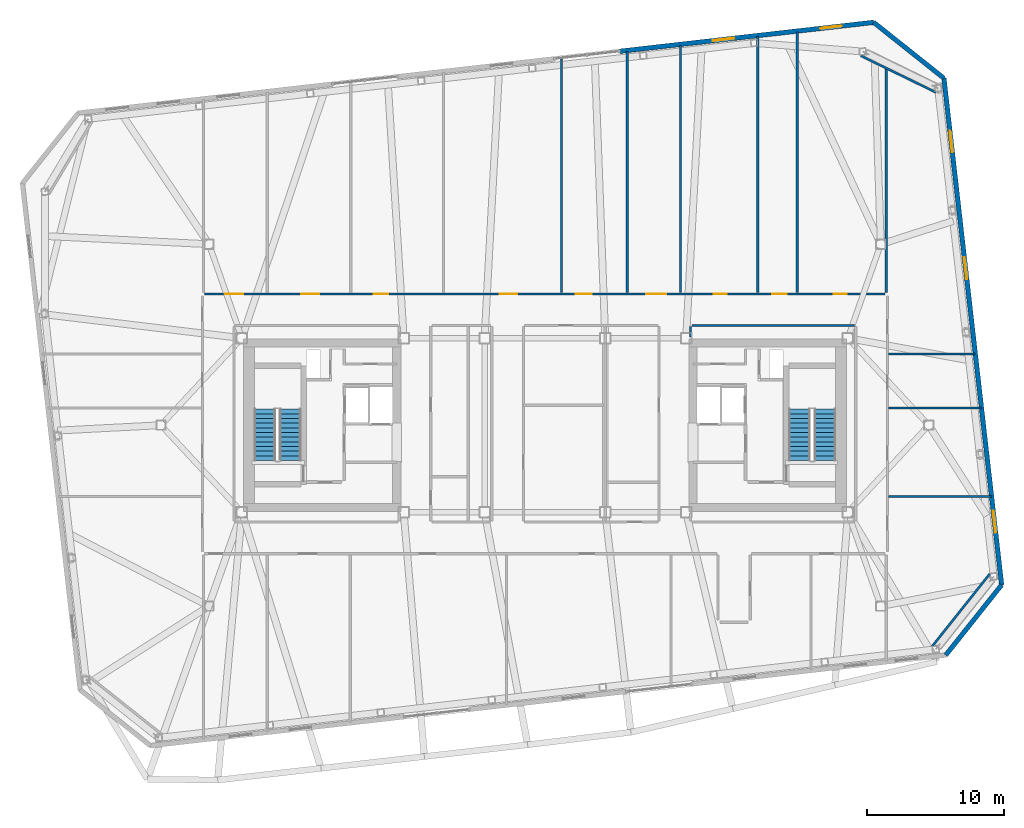
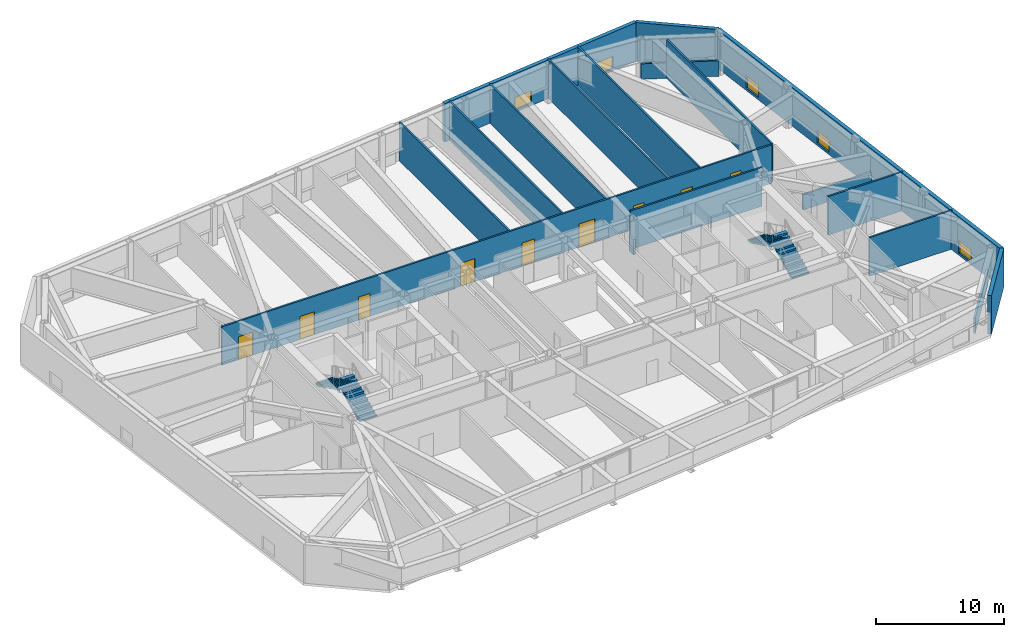
# One storey, part 15 of 18: 18 walls, 9 doors, 5 windows, 4 stair flights, 14 openings, 2 elements without a shape of their own.
"""IFC4 building model written with IfcOpenShell, lengths in metres."""

from ifc_helpers import new_model, si_unit, direction, frame, frame_2d, origin, place, context, subcontext, project, spatial, polyline, rectangle, outline, extrude, material, layer, layer_set, type_object, element, fill, aggregate, save


model = new_model("IFC4")

# Units and contexts
model_context = context("Model", 3, precision=1e-05, world=origin(), true_north=direction((0.0, 1.0)))
body_context = subcontext(model_context, "Body", "Model", "MODEL_VIEW")
ifc_project = project(units=[si_unit("LENGTHUNIT", "METRE"), si_unit("AREAUNIT", "SQUARE_METRE"), si_unit("VOLUMEUNIT", "CUBIC_METRE"), si_unit("PLANEANGLEUNIT", "RADIAN"), si_unit("MASSUNIT", "GRAM", prefix="KILO")], contexts=[model_context])

# Site, building, storey
site_placement = place(None, origin())
site = spatial("IfcSite", under=ifc_project, at=site_placement, CompositionType="ELEMENT")
building_placement = place(site_placement, origin())
building = spatial("IfcBuilding", under=site, at=building_placement, Name="Tavrogorsk Clinical Tower", CompositionType="ELEMENT")
storey_placement = place(building_placement, frame((0.0, 0.0, 267.0)))
storey = spatial("IfcBuildingStorey", under=building, at=storey_placement, Name="L62", CompositionType="ELEMENT", Elevation=267.0)

# Walls
ifc_material_1 = material(Name="Lightweight concrete blockwork B15", Category="masonry")
ifc_layer_1 = layer(ifc_material_1, 0.159912109375)
ifc_layer_set_1 = layer_set([ifc_layer_1], Name="Lightweight concrete blockwork B15")
wall_type_1 = type_object("IfcWallType", Name="PartitionWall_160", PredefinedType="PARTITIONING", material=ifc_layer_set_1)
wall_1_placement = place(storey_placement, frame((28.242431640625, -16.1337890625, 0.0), z_axis=(0.0, 0.0, 1.0), x_axis=(0.622521563328, 0.782602647064, 0.0)))
element("IfcWall", 1, at=wall_1_placement, inside=storey, type_object=wall_type_1, Name="L62 Corner Exoskeleton Brace Furring Wall 1", PredefinedType="PARTITIONING", context=body_context, shape_type="SweptSolid", body=[
    extrude(rectangle(XDim=6.788330078125, YDim=0.159912109375, at=frame_2d((3.39404296875, 0.0))), origin(), (0.0, 0.0, 1.0), 1.47509765625),
])
wall_2_placement = place(storey_placement, frame((28.5283203125, 24.27099609375, 0.0), z_axis=(0.0, 0.0, 1.0), x_axis=(-0.898820692789, 0.438316509173, 0.0)))
element("IfcWall", 2, at=wall_2_placement, inside=storey, type_object=wall_type_1, Name="L62 Corner Exoskeleton Brace Furring Wall 2", PredefinedType="PARTITIONING", context=body_context, shape_type="SweptSolid", body=[
    extrude(rectangle(XDim=6.10693359375, YDim=0.159912109375, at=frame_2d((3.053466796875, 0.0))), origin(), (0.0, 0.0, 1.0), 1.47509765625),
])

# Wall, openings, doors
wall_3_placement = place(storey_placement, frame((-24.81494140625, 9.580078125, 0.0), z_axis=(0.0, 0.0, 1.0), x_axis=(1.0, 0.0, 0.0)))
wall_3 = element("IfcWall", 3, at=wall_3_placement, inside=storey, type_object=wall_type_1, Name="L62 Corridor Partition 02", PredefinedType="PARTITIONING", context=body_context, shape_type="SweptSolid", body=[
    extrude(rectangle(XDim=49.6298828125, YDim=0.159912109375, at=frame_2d((24.81494140625, 0.0))), origin(), (0.0, 0.0, 1.0), 3.679931640625),
])
opening_1_placement = place(wall_3_placement, frame((1.509033203125, 0.0, 0.0)))
opening_1 = element("IfcOpeningElement", 4, at=opening_1_placement, cuts=wall_3, Name="Opening ID-01", PredefinedType="OPENING", context=body_context, shape_type="SweptSolid", body=[
    extrude(rectangle(XDim=1.300048828125, YDim=2.199951171875, at=frame_2d((0.64990234375, 1.10009765625))), frame((0.0, 0.08984375, 0.0), z_axis=(0.0, -1.0, 0.0), x_axis=(1.0, 0.0, 0.0)), (0.0, 0.0, 1.0), 0.179931640625),
])
opening_2_placement = place(wall_3_placement, frame((7.044921875, 0.0, 0.0)))
opening_2 = element("IfcOpeningElement", 5, at=opening_2_placement, cuts=wall_3, Name="Opening ID-01", PredefinedType="OPENING", context=body_context, shape_type="SweptSolid", body=[
    extrude(rectangle(XDim=1.300048828125, YDim=2.199951171875, at=frame_2d((0.64990234375, 1.10009765625))), frame((0.0, 0.08984375, 0.0), z_axis=(0.0, -1.0, 0.0), x_axis=(1.0, 0.0, 0.0)), (0.0, 0.0, 1.0), 0.179931640625),
])
opening_3_placement = place(wall_3_placement, frame((12.324951171875, 0.0, 0.0)))
opening_3 = element("IfcOpeningElement", 6, at=opening_3_placement, cuts=wall_3, Name="Opening ID-04", PredefinedType="OPENING", context=body_context, shape_type="SweptSolid", body=[
    extrude(rectangle(XDim=1.050048828125, YDim=2.199951171875, at=frame_2d((0.52490234375, 1.10009765625))), frame((0.0, 0.08984375, 0.0), z_axis=(0.0, -1.0, 0.0), x_axis=(1.0, 0.0, 0.0)), (0.0, 0.0, 1.0), 0.179931640625),
])
opening_4_placement = place(wall_3_placement, frame((21.510009765625, 0.0, 0.0)))
opening_4 = element("IfcOpeningElement", 7, at=opening_4_placement, cuts=wall_3, Name="Opening ID-01", PredefinedType="OPENING", context=body_context, shape_type="SweptSolid", body=[
    extrude(rectangle(XDim=1.300048828125, YDim=2.199951171875, at=frame_2d((0.64990234375, 1.10009765625))), frame((0.0, 0.08984375, 0.0), z_axis=(0.0, -1.0, 0.0), x_axis=(1.0, 0.0, 0.0)), (0.0, 0.0, 1.0), 0.179931640625),
])
opening_5_placement = place(wall_3_placement, frame((27.06494140625, 0.0, 0.0)))
opening_5 = element("IfcOpeningElement", 8, at=opening_5_placement, cuts=wall_3, Name="Opening ID-06", PredefinedType="OPENING", context=body_context, shape_type="SweptSolid", body=[
    extrude(rectangle(XDim=1.14990234375, YDim=2.199951171875, at=frame_2d((0.574951171875, 1.10009765625))), frame((0.0, 0.08984375, 0.0), z_axis=(0.0, -1.0, 0.0), x_axis=(1.0, 0.0, 0.0)), (0.0, 0.0, 1.0), 0.179931640625),
])
opening_6_placement = place(wall_3_placement, frame((32.199951171875, 0.0, 0.0)))
opening_6 = element("IfcOpeningElement", 9, at=opening_6_placement, cuts=wall_3, Name="Opening ID-05", PredefinedType="OPENING", context=body_context, shape_type="SweptSolid", body=[
    extrude(rectangle(XDim=1.449951171875, YDim=2.199951171875, at=frame_2d((0.72509765625, 1.10009765625))), frame((0.0, 0.08984375, 0.0), z_axis=(0.0, -1.0, 0.0), x_axis=(1.0, 0.0, 0.0)), (0.0, 0.0, 1.0), 0.179931640625),
])
opening_7_placement = place(wall_3_placement, frame((37.139892578125, 0.0, 0.0)))
opening_7 = element("IfcOpeningElement", 10, at=opening_7_placement, cuts=wall_3, Name="Opening ID-02", PredefinedType="OPENING", context=body_context, shape_type="SweptSolid", body=[
    extrude(rectangle(XDim=0.949951171875, YDim=2.199951171875, at=frame_2d((0.47509765625, 1.10009765625))), frame((0.0, 0.08984375, 0.0), z_axis=(0.0, -1.0, 0.0), x_axis=(1.0, 0.0, 0.0)), (0.0, 0.0, 1.0), 0.179931640625),
])
opening_8_placement = place(wall_3_placement, frame((41.389892578125, 0.0, 0.0)))
opening_8 = element("IfcOpeningElement", 11, at=opening_8_placement, cuts=wall_3, Name="Opening ID-04", PredefinedType="OPENING", context=body_context, shape_type="SweptSolid", body=[
    extrude(rectangle(XDim=1.050048828125, YDim=2.199951171875, at=frame_2d((0.52490234375, 1.10009765625))), frame((0.0, 0.08984375, 0.0), z_axis=(0.0, -1.0, 0.0), x_axis=(1.0, 0.0, 0.0)), (0.0, 0.0, 1.0), 0.179931640625),
])
opening_9_placement = place(wall_3_placement, frame((45.880859375, 0.0, 0.0)))
opening_9 = element("IfcOpeningElement", 12, at=opening_9_placement, cuts=wall_3, Name="Opening ID-02", PredefinedType="OPENING", context=body_context, shape_type="SweptSolid", body=[
    extrude(rectangle(XDim=0.949951171875, YDim=2.199951171875, at=frame_2d((0.47509765625, 1.10009765625))), frame((0.0, 0.08984375, 0.0), z_axis=(0.0, -1.0, 0.0), x_axis=(1.0, 0.0, 0.0)), (0.0, 0.0, 1.0), 0.179931640625),
])
ifc_material_2 = material(Name="Antibacterial HPL consultation door on aluminium frame", Category="aluminium")
door_type_1 = type_object("IfcDoorType", Name="ConsultDoor_ID04_1050", OperationType="NOTDEFINED", PredefinedType="DOOR", material=ifc_material_2)
door_1_placement = place(opening_3_placement, origin())
door_1 = element("IfcDoor", 13, at=door_1_placement, inside=storey, type_object=door_type_1, Name="L62 North Multidisciplinary Case Room 03 Door", OperationType="SINGLE_SWING_LEFT", OverallHeight=2.199951171875, OverallWidth=1.050048828125, PredefinedType="DOOR", context=body_context, shape_type="SweptSolid", body=[
    extrude(rectangle(XDim=1.050048828125, YDim=2.199951171875, at=frame_2d((0.52490234375, 1.10009765625))), frame((0.0, 0.02490234375, 0.0), z_axis=(0.0, -1.0, 0.0), x_axis=(1.0, 0.0, 0.0)), (0.0, 0.0, 1.0), 0.050048828125),
])
fill(opening_3, door_1)
door_2_placement = place(opening_8_placement, origin())
door_2 = element("IfcDoor", 14, at=door_2_placement, inside=storey, type_object=door_type_1, Name="L62 North Multidisciplinary Case Room 06B Door", OperationType="SINGLE_SWING_RIGHT", OverallHeight=2.199951171875, OverallWidth=1.050048828125, PredefinedType="DOOR", context=body_context, shape_type="SweptSolid", body=[
    extrude(rectangle(XDim=1.050048828125, YDim=2.199951171875, at=frame_2d((0.52490234375, 1.10009765625))), frame((0.0, 0.02490234375, 0.0), z_axis=(0.0, -1.0, 0.0), x_axis=(1.0, 0.0, 0.0)), (0.0, 0.0, 1.0), 0.050048828125),
])
fill(opening_8, door_2)
ifc_material_3 = material(Name="Antibacterial HPL bariatric ward double door")
door_type_2 = type_object("IfcDoorType", Name="DoubleWardDoor_ID05_1450", OperationType="DOUBLE_SWING_LEFT", PredefinedType="DOOR", material=ifc_material_3)
door_3_placement = place(opening_6_placement, origin())
door_3 = element("IfcDoor", 15, at=door_3_placement, inside=storey, type_object=door_type_2, Name="L62 North Sub-Acute Recovery Ward 05B Door", OperationType="DOUBLE_SWING_LEFT", OverallHeight=2.199951171875, OverallWidth=1.449951171875, PredefinedType="DOOR", context=body_context, shape_type="SweptSolid", body=[
    extrude(rectangle(XDim=1.449951171875, YDim=2.199951171875, at=frame_2d((0.72509765625, 1.10009765625))), frame((0.0, 0.02490234375, 0.0), z_axis=(0.0, -1.0, 0.0), x_axis=(1.0, 0.0, 0.0)), (0.0, 0.0, 1.0), 0.050048828125),
])
fill(opening_6, door_3)
ifc_material_4 = material(Name="Laminated timber leaf on aluminium frame", Category="wood")
door_type_3 = type_object("IfcDoorType", Name="InteriorDoor_ID02_950", OperationType="NOTDEFINED", PredefinedType="DOOR", material=ifc_material_4)
door_4_placement = place(opening_7_placement, origin())
door_4 = element("IfcDoor", 16, at=door_4_placement, inside=storey, type_object=door_type_3, Name="L62 North Diagnostic Ultrasound Suite 06A Door", OperationType="SINGLE_SWING_LEFT", OverallHeight=2.199951171875, OverallWidth=0.949951171875, PredefinedType="DOOR", context=body_context, shape_type="SweptSolid", body=[
    extrude(rectangle(XDim=0.949951171875, YDim=2.199951171875, at=frame_2d((0.47509765625, 1.10009765625))), frame((0.0, 0.02490234375, 0.0), z_axis=(0.0, -1.0, 0.0), x_axis=(1.0, 0.0, 0.0)), (0.0, 0.0, 1.0), 0.050048828125),
])
fill(opening_7, door_4)
door_5_placement = place(opening_9_placement, origin())
door_5 = element("IfcDoor", 17, at=door_5_placement, inside=storey, type_object=door_type_3, Name="L62 North Physiotherapy Rehab Studio 07 Door", OperationType="SINGLE_SWING_LEFT", OverallHeight=2.199951171875, OverallWidth=0.949951171875, PredefinedType="DOOR", context=body_context, shape_type="SweptSolid", body=[
    extrude(rectangle(XDim=0.949951171875, YDim=2.199951171875, at=frame_2d((0.47509765625, 1.10009765625))), frame((0.0, 0.02490234375, 0.0), z_axis=(0.0, -1.0, 0.0), x_axis=(1.0, 0.0, 0.0)), (0.0, 0.0, 1.0), 0.050048828125),
])
fill(opening_9, door_5)
ifc_material_5 = material(Name="Antibacterial HPL procedure door on aluminium frame", Category="aluminium")
door_type_4 = type_object("IfcDoorType", Name="LabDoor_ID06_1150", OperationType="NOTDEFINED", PredefinedType="DOOR", material=ifc_material_5)
door_6_placement = place(opening_5_placement, origin())
door_6 = element("IfcDoor", 18, at=door_6_placement, inside=storey, type_object=door_type_4, Name="L62 North Clinical Examination Suite 05A Door", OperationType="SINGLE_SWING_LEFT", OverallHeight=2.199951171875, OverallWidth=1.14990234375, PredefinedType="DOOR", context=body_context, shape_type="SweptSolid", body=[
    extrude(rectangle(XDim=1.14990234375, YDim=2.199951171875, at=frame_2d((0.574951171875, 1.10009765625))), frame((0.0, 0.02490234375, 0.0), z_axis=(0.0, -1.0, 0.0), x_axis=(1.0, 0.0, 0.0)), (0.0, 0.0, 1.0), 0.050048828125),
])
fill(opening_5, door_6)
ifc_material_6 = material(Name="Antibacterial HPL medical leaf on aluminium frame", Category="aluminium")
door_type_5 = type_object("IfcDoorType", Name="WardBedDoor_ID01_1300", OperationType="NOTDEFINED", PredefinedType="DOOR", material=ifc_material_6)
door_7_placement = place(opening_1_placement, origin())
door_7 = element("IfcDoor", 19, at=door_7_placement, inside=storey, type_object=door_type_5, Name="L62 North Acute Isolation Suite 01 Door", OperationType="SINGLE_SWING_LEFT", OverallHeight=2.199951171875, OverallWidth=1.300048828125, PredefinedType="DOOR", context=body_context, shape_type="SweptSolid", body=[
    extrude(rectangle(XDim=1.300048828125, YDim=2.199951171875, at=frame_2d((0.64990234375, 1.10009765625))), frame((0.0, 0.02490234375, 0.0), z_axis=(0.0, -1.0, 0.0), x_axis=(1.0, 0.0, 0.0)), (0.0, 0.0, 1.0), 0.050048828125),
])
fill(opening_1, door_7)
door_8_placement = place(opening_2_placement, origin())
door_8 = element("IfcDoor", 20, at=door_8_placement, inside=storey, type_object=door_type_5, Name="L62 North Sub-Acute Recovery Ward 02 Door", OperationType="SINGLE_SWING_RIGHT", OverallHeight=2.199951171875, OverallWidth=1.300048828125, PredefinedType="DOOR", context=body_context, shape_type="SweptSolid", body=[
    extrude(rectangle(XDim=1.300048828125, YDim=2.199951171875, at=frame_2d((0.64990234375, 1.10009765625))), frame((0.0, 0.02490234375, 0.0), z_axis=(0.0, -1.0, 0.0), x_axis=(1.0, 0.0, 0.0)), (0.0, 0.0, 1.0), 0.050048828125),
])
fill(opening_2, door_8)
door_9_placement = place(opening_4_placement, origin())
door_9 = element("IfcDoor", 21, at=door_9_placement, inside=storey, type_object=door_type_5, Name="L62 North Inpatient Clinical Ward 04 Door", OperationType="SINGLE_SWING_RIGHT", OverallHeight=2.199951171875, OverallWidth=1.300048828125, PredefinedType="DOOR", context=body_context, shape_type="SweptSolid", body=[
    extrude(rectangle(XDim=1.300048828125, YDim=2.199951171875, at=frame_2d((0.64990234375, 1.10009765625))), frame((0.0, 0.02490234375, 0.0), z_axis=(0.0, -1.0, 0.0), x_axis=(1.0, 0.0, 0.0)), (0.0, 0.0, 1.0), 0.050048828125),
])
fill(opening_4, door_9)

# Walls
wall_4_placement = place(storey_placement, frame((22.5849609375, 7.27001953125, 0.0), z_axis=(0.0, 0.0, 1.0), x_axis=(-1.0, 0.0, 0.0)))
element("IfcWall", 22, at=wall_4_placement, inside=storey, type_object=wall_type_1, Name="L62 Corridor Partition 09", PredefinedType="PARTITIONING", context=body_context, shape_type="SweptSolid", body=[
    extrude(rectangle(XDim=11.869873046875, YDim=0.159912109375, at=frame_2d((5.93505859375, 0.0))), origin(), (0.0, 0.0, 1.0), 3.679931640625),
])
wall_5_placement = place(storey_placement, frame((10.6298828125, 7.18505859375, 0.0), z_axis=(0.0, 0.0, 1.0), x_axis=(0.0, -1.0, 0.0)))
element("IfcWall", 23, at=wall_5_placement, inside=storey, type_object=wall_type_1, Name="L62 Corridor Partition 10", PredefinedType="PARTITIONING", context=body_context, shape_type="SweptSolid", body=[
    extrude(rectangle(XDim=0.76513671875, YDim=0.159912109375, at=frame_2d((0.382568359375, 0.0))), origin(), (0.0, 0.0, 1.0), 1.47509765625),
])
wall_6_placement = place(storey_placement, frame((24.89990234375, 9.6650390625, 0.0), z_axis=(0.0, 0.0, 1.0), x_axis=(0.0, 1.0, 0.0)))
element("IfcWall", 24, at=wall_6_placement, inside=storey, type_object=wall_type_1, Name="L62 NE Wing Closure Partition", PredefinedType="PARTITIONING", context=body_context, shape_type="SweptSolid", body=[
    extrude(rectangle(XDim=16.37939453125, YDim=0.159912109375, at=frame_2d((8.189697265625, 0.0))), origin(), (0.0, 0.0, 1.0), 3.679931640625),
])
wall_7_placement = place(storey_placement, frame((1.199951171875, 9.6650390625, 0.0), z_axis=(0.0, 0.0, 1.0), x_axis=(0.0, 1.0, 0.0)))
element("IfcWall", 25, at=wall_7_placement, inside=storey, type_object=wall_type_1, Name="L62 North Room Partition 4", PredefinedType="PARTITIONING", context=body_context, shape_type="SweptSolid", body=[
    extrude(rectangle(XDim=17.054931640625, YDim=0.159912109375, at=frame_2d((8.52734375, 0.0))), origin(), (0.0, 0.0, 1.0), 3.679931640625),
])
wall_8_placement = place(storey_placement, frame((9.89990234375, 9.6650390625, 0.0), z_axis=(0.0, 0.0, 1.0), x_axis=(0.0, 1.0, 0.0)))
element("IfcWall", 26, at=wall_8_placement, inside=storey, type_object=wall_type_1, Name="L62 North Room Partition 5", PredefinedType="PARTITIONING", context=body_context, shape_type="SweptSolid", body=[
    extrude(rectangle(XDim=18.046142578125, YDim=0.159912109375, at=frame_2d((9.02294921875, 0.0))), origin(), (0.0, 0.0, 1.0), 3.679931640625),
])
wall_9_placement = place(storey_placement, frame((18.39990234375, 9.6650390625, 0.0), z_axis=(0.0, 0.0, 1.0), x_axis=(0.0, 1.0, 0.0)))
element("IfcWall", 27, at=wall_9_placement, inside=storey, type_object=wall_type_1, Name="L62 North Room Partition 6", PredefinedType="PARTITIONING", context=body_context, shape_type="SweptSolid", body=[
    extrude(rectangle(XDim=19.0146484375, YDim=0.159912109375, at=frame_2d((9.50732421875, 0.0))), origin(), (0.0, 0.0, 1.0), 3.679931640625),
])
wall_10_placement = place(storey_placement, frame((6.0, 9.6650390625, 0.0), z_axis=(0.0, 0.0, 1.0), x_axis=(0.0, 1.0, 0.0)))
element("IfcWall", 28, at=wall_10_placement, inside=storey, type_object=wall_type_1, Name="L62 North Sub-Partition 5", PredefinedType="PARTITIONING", context=body_context, shape_type="SweptSolid", body=[
    extrude(rectangle(XDim=17.601806640625, YDim=0.159912109375, at=frame_2d((8.80078125, 0.0))), origin(), (0.0, 0.0, 1.0), 3.679931640625),
])
wall_11_placement = place(storey_placement, frame((15.530029296875, 9.6650390625, 0.0), z_axis=(0.0, 0.0, 1.0), x_axis=(0.0, 1.0, 0.0)))
element("IfcWall", 29, at=wall_11_placement, inside=storey, type_object=wall_type_1, Name="L62 North Sub-Partition 6", PredefinedType="PARTITIONING", context=body_context, shape_type="SweptSolid", body=[
    extrude(rectangle(XDim=18.687744140625, YDim=0.159912109375, at=frame_2d((9.34375, 0.0))), origin(), (0.0, 0.0, 1.0), 3.679931640625),
])
wall_12_placement = place(storey_placement, frame((25.06494140625, -5.199951171875, 0.0), z_axis=(0.0, 0.0, 1.0), x_axis=(1.0, 0.0, 0.0)))
element("IfcWall", 30, at=wall_12_placement, inside=storey, type_object=wall_type_1, Name="L62 E Wing Divider 1", PredefinedType="PARTITIONING", context=body_context, shape_type="SweptSolid", body=[
    extrude(rectangle(XDim=7.498046875, YDim=0.159912109375, at=frame_2d((3.7490234375, 0.0))), origin(), (0.0, 0.0, 1.0), 3.679931640625),
])
wall_13_placement = place(storey_placement, frame((25.06494140625, 1.25, 0.0), z_axis=(0.0, 0.0, 1.0), x_axis=(1.0, 0.0, 0.0)))
element("IfcWall", 31, at=wall_13_placement, inside=storey, type_object=wall_type_1, Name="L62 E Wing Divider 2", PredefinedType="PARTITIONING", context=body_context, shape_type="SweptSolid", body=[
    extrude(rectangle(XDim=6.76318359375, YDim=0.159912109375, at=frame_2d((3.381591796875, 0.0))), origin(), (0.0, 0.0, 1.0), 3.679931640625),
])
wall_14_placement = place(storey_placement, frame((25.06494140625, 5.199951171875, 0.0), z_axis=(0.0, 0.0, 1.0), x_axis=(1.0, 0.0, 0.0)))
element("IfcWall", 32, at=wall_14_placement, inside=storey, type_object=wall_type_1, Name="L62 E Wing Divider 3", PredefinedType="PARTITIONING", context=body_context, shape_type="SweptSolid", body=[
    extrude(rectangle(XDim=6.313232421875, YDim=0.159912109375, at=frame_2d((3.15673828125, 0.0))), origin(), (0.0, 0.0, 1.0), 1.47509765625),
])

# Wall, openings, windows
ifc_material_7 = material(Name="Precast concrete B45 with limestone cladding", Category="masonry")
ifc_layer_2 = layer(ifc_material_7, 0.340087890625)
ifc_layer_set_2 = layer_set([ifc_layer_2], Name="Precast concrete B45 with limestone cladding")
wall_type_2 = type_object("IfcWallType", Name="PrecastLimestoneWall_340", PredefinedType="STANDARD", material=ifc_layer_set_2)
wall_15_placement = place(storey_placement, frame((23.982666015625, 29.38623046875, 0.0), z_axis=(0.0, 0.0, 1.0), x_axis=(-0.993572271362, -0.113199565282, 0.0)))
wall_15 = element("IfcWall", 33, at=wall_15_placement, inside=storey, type_object=wall_type_2, Name="L62 N Limestone Facade Wall 1", PredefinedType="STANDARD", context=body_context, shape_type="SweptSolid", body=[
    extrude(rectangle(XDim=18.6513671875, YDim=0.340087890625, at=frame_2d((9.32568359375, 0.0))), origin(), (0.0, 0.0, 1.0), 3.679931640625),
])
opening_10_placement = place(wall_15_placement, frame((10.228759765625, 0.0, 0.219970703125)))
opening_10 = element("IfcOpeningElement", 34, at=opening_10_placement, cuts=wall_15, Name="Opening WN-09", PredefinedType="OPENING", context=body_context, shape_type="SweptSolid", body=[
    extrude(rectangle(XDim=1.60009765625, YDim=1.199951171875, at=frame_2d((0.800048828125, 0.60009765625))), frame((0.0, 0.179931640625, 0.0), z_axis=(0.0, -1.0, 0.0), x_axis=(1.0, 0.0, 0.0)), (0.0, 0.0, 1.0), 0.360107421875),
])
opening_11_placement = place(wall_15_placement, frame((2.336181640625, 0.0, 0.219970703125)))
opening_11 = element("IfcOpeningElement", 35, at=opening_11_placement, cuts=wall_15, Name="Opening WN-09", PredefinedType="OPENING", context=body_context, shape_type="SweptSolid", body=[
    extrude(rectangle(XDim=1.60009765625, YDim=1.199951171875, at=frame_2d((0.800048828125, 0.60009765625))), frame((0.0, 0.179931640625, 0.0), z_axis=(0.0, -1.0, 0.0), x_axis=(1.0, 0.0, 0.0)), (0.0, 0.0, 1.0), 0.360107421875),
])
ifc_material_8 = material(Name="Thermally broken aluminium frame and triple IGU", Category="aluminium")
window_type = type_object("IfcWindowType", Name="LowHeadTransWin_1600x1200", PartitioningType="DOUBLE_PANEL_VERTICAL", PredefinedType="WINDOW", material=ifc_material_8)
window_1_placement = place(opening_10_placement, origin())
window_1 = element("IfcWindow", 36, at=window_1_placement, inside=storey, type_object=window_type, Name="L62 N Chicago Window 08", OverallHeight=1.199951171875, OverallWidth=1.60009765625, PartitioningType="SINGLE_PANEL", PredefinedType="WINDOW", context=body_context, shape_type="SweptSolid", body=[
    extrude(rectangle(XDim=1.60009765625, YDim=1.199951171875, at=frame_2d((0.800048828125, 0.60009765625))), frame((0.0, 0.030029296875, 0.0), z_axis=(0.0, -1.0, 0.0), x_axis=(1.0, 0.0, 0.0)), (0.0, 0.0, 1.0), 0.06005859375),
])
fill(opening_10, window_1)
window_2_placement = place(opening_11_placement, origin())
window_2 = element("IfcWindow", 37, at=window_2_placement, inside=storey, type_object=window_type, Name="L62 N Chicago Window 10", OverallHeight=1.199951171875, OverallWidth=1.60009765625, PartitioningType="SINGLE_PANEL", PredefinedType="WINDOW", context=body_context, shape_type="SweptSolid", body=[
    extrude(rectangle(XDim=1.60009765625, YDim=1.199951171875, at=frame_2d((0.800048828125, 0.60009765625))), frame((0.0, 0.030029296875, 0.0), z_axis=(0.0, -1.0, 0.0), x_axis=(1.0, 0.0, 0.0)), (0.0, 0.0, 1.0), 0.06005859375),
])
fill(opening_11, window_2)

wall_16_placement = place(storey_placement, frame((33.318115234375, -11.65087890625, 0.0), z_axis=(0.0, 0.0, 1.0), x_axis=(-0.11320360501, 0.9935718111, 0.0)))
wall_16 = element("IfcWall", 38, at=wall_16_placement, inside=storey, type_object=wall_type_2, Name="L62 E Pleated Limestone Wing Wall", PredefinedType="STANDARD", context=body_context, shape_type="SweptSolid", body=[
    extrude(rectangle(XDim=37.199951171875, YDim=0.340087890625, at=frame_2d((18.60009765625, 0.0))), origin(), (0.0, 0.0, 1.0), 3.679931640625),
])
opening_12_placement = place(wall_16_placement, frame((3.85009765625, 0.0, 0.219970703125)))
opening_12 = element("IfcOpeningElement", 39, at=opening_12_placement, cuts=wall_16, Name="Opening WN-09", PredefinedType="OPENING", context=body_context, shape_type="SweptSolid", body=[
    extrude(rectangle(XDim=1.60009765625, YDim=1.199951171875, at=frame_2d((0.800048828125, 0.60009765625))), frame((0.0, 0.179931640625, 0.0), z_axis=(0.0, -1.0, 0.0), x_axis=(1.0, 0.0, 0.0)), (0.0, 0.0, 1.0), 0.360107421875),
])
opening_13_placement = place(wall_16_placement, frame((22.449951171875, 0.0, 0.219970703125)))
opening_13 = element("IfcOpeningElement", 40, at=opening_13_placement, cuts=wall_16, Name="Opening WN-09", PredefinedType="OPENING", context=body_context, shape_type="SweptSolid", body=[
    extrude(rectangle(XDim=1.60009765625, YDim=1.199951171875, at=frame_2d((0.800048828125, 0.60009765625))), frame((0.0, 0.179931640625, 0.0), z_axis=(0.0, -1.0, 0.0), x_axis=(1.0, 0.0, 0.0)), (0.0, 0.0, 1.0), 0.360107421875),
])
opening_14_placement = place(wall_16_placement, frame((31.75, 0.0, 0.219970703125)))
opening_14 = element("IfcOpeningElement", 41, at=opening_14_placement, cuts=wall_16, Name="Opening WN-09", PredefinedType="OPENING", context=body_context, shape_type="SweptSolid", body=[
    extrude(rectangle(XDim=1.60009765625, YDim=1.199951171875, at=frame_2d((0.800048828125, 0.60009765625))), frame((0.0, 0.179931640625, 0.0), z_axis=(0.0, -1.0, 0.0), x_axis=(1.0, 0.0, 0.0)), (0.0, 0.0, 1.0), 0.360107421875),
])
window_3_placement = place(opening_12_placement, origin())
window_3 = element("IfcWindow", 42, at=window_3_placement, inside=storey, type_object=window_type, Name="L62 E Pleat Slot Window 1", OverallHeight=1.199951171875, OverallWidth=1.60009765625, PartitioningType="SINGLE_PANEL", PredefinedType="WINDOW", context=body_context, shape_type="SweptSolid", body=[
    extrude(rectangle(XDim=1.60009765625, YDim=1.199951171875, at=frame_2d((0.800048828125, 0.60009765625))), frame((0.0, 0.030029296875, 0.0), z_axis=(0.0, -1.0, 0.0), x_axis=(1.0, 0.0, 0.0)), (0.0, 0.0, 1.0), 0.06005859375),
])
fill(opening_12, window_3)
window_4_placement = place(opening_13_placement, origin())
window_4 = element("IfcWindow", 43, at=window_4_placement, inside=storey, type_object=window_type, Name="L62 E Pleat Slot Window 3", OverallHeight=1.199951171875, OverallWidth=1.60009765625, PartitioningType="SINGLE_PANEL", PredefinedType="WINDOW", context=body_context, shape_type="SweptSolid", body=[
    extrude(rectangle(XDim=1.60009765625, YDim=1.199951171875, at=frame_2d((0.800048828125, 0.60009765625))), frame((0.0, 0.030029296875, 0.0), z_axis=(0.0, -1.0, 0.0), x_axis=(1.0, 0.0, 0.0)), (0.0, 0.0, 1.0), 0.06005859375),
])
fill(opening_13, window_4)
window_5_placement = place(opening_14_placement, origin())
window_5 = element("IfcWindow", 44, at=window_5_placement, inside=storey, type_object=window_type, Name="L62 E Pleat Slot Window 4", OverallHeight=1.199951171875, OverallWidth=1.60009765625, PartitioningType="SINGLE_PANEL", PredefinedType="WINDOW", context=body_context, shape_type="SweptSolid", body=[
    extrude(rectangle(XDim=1.60009765625, YDim=1.199951171875, at=frame_2d((0.800048828125, 0.60009765625))), frame((0.0, 0.030029296875, 0.0), z_axis=(0.0, -1.0, 0.0), x_axis=(1.0, 0.0, 0.0)), (0.0, 0.0, 1.0), 0.06005859375),
])
fill(opening_14, window_5)

# Walls
for number, where, z_axis, x_axis, name in (
    (45, (29.241943359375, -16.775146484375, 0.0), (0.0, 0.0, 1.0), (0.62252823689, 0.78259733853, 0.0), "L62 Chamfered Corner Wall 1"),
    (46, (29.10693359375, 25.31005859375, 0.0), (0.0, 0.0, 1.0), (-0.78259733853, 0.62252823689, 0.0), "L62 Chamfered Corner Wall 2"),
):
    element("IfcWall", number, at=place(storey_placement, frame(where, z_axis=z_axis, x_axis=x_axis)), inside=storey, type_object=wall_type_2, Name=name, PredefinedType="STANDARD", context=body_context, shape_type="SweptSolid", body=[
        extrude(rectangle(XDim=6.5478515625, YDim=0.340087890625, at=frame_2d((3.27392578125, 0.0))), origin(), (0.0, 0.0, 1.0), 3.679931640625),
    ])

# Stair, stair flights
ifc_material_9 = material(Name="Concrete B60", Category="concrete")
stair_type = type_object("IfcStairType", Name="CoreStairAssembly", PredefinedType="HALF_TURN_STAIR", material=ifc_material_9)
stair_1_placement = place(storey_placement, origin())
stair_1 = element("IfcStair", 47, at=stair_1_placement, inside=storey, type_object=stair_type, Name="L62 ST-W", PredefinedType="HALF_TURN_STAIR")
ifc_material_10 = material(Name="Concrete B60", Category="concrete")
stair_flight_type = type_object("IfcStairFlightType", Name="CoreStairFlight", PredefinedType="STRAIGHT", material=ifc_material_10)
stair_flight_1_placement = place(storey_placement, frame((-18.574951171875, -2.574951171875, 0.0), z_axis=(0.0, 0.0, 1.0), x_axis=(0.0, 1.0, 0.0)))
stair_flight_1 = element("IfcStairFlight", 48, at=stair_flight_1_placement, type_object=stair_flight_type, Name="ST-W flight 1", NumberOfRisers=12, NumberOfTreads=11, PredefinedType="STRAIGHT", RiserHeight=0.166666667, TreadLength=0.34, context=body_context, shape_type="SweptSolid", body=[
    extrude(outline(polyline([(0.0, 0.0), (0.0, 0.166748046875), (0.340087890625, 0.166748046875), (0.340087890625, 0.333251953125), (0.679931640625, 0.333251953125), (0.679931640625, 0.5), (1.02001953125, 0.5), (1.02001953125, 0.666748046875), (1.360107421875, 0.666748046875), (1.360107421875, 0.833251953125), (1.699951171875, 0.833251953125), (1.699951171875, 1.0), (2.0400390625, 1.0), (2.0400390625, 1.166748046875), (2.3798828125, 1.166748046875), (2.3798828125, 1.333251953125), (2.719970703125, 1.333251953125), (2.719970703125, 1.5), (3.06005859375, 1.5), (3.06005859375, 1.666748046875), (3.39990234375, 1.666748046875), (3.39990234375, 1.833251953125), (3.739990234375, 1.833251953125), (3.739990234375, 2.0), (3.739990234375, 1.66650390625), (0.340576171875, 0.0), (0.0, 0.0)])), frame((0.0, 0.77490234375, 0.0), z_axis=(0.0, -1.0, 0.0), x_axis=(1.0, 0.0, 0.0)), (0.0, 0.0, 1.0), 1.550048828125),
])
stair_flight_2_placement = place(storey_placement, frame((-20.425048828125, 1.1650390625, 2.0), z_axis=(0.0, 0.0, 1.0), x_axis=(0.0, -1.0, 0.0)))
stair_flight_2 = element("IfcStairFlight", 49, at=stair_flight_2_placement, type_object=stair_flight_type, Name="ST-W flight 2", NumberOfRisers=12, NumberOfTreads=11, PredefinedType="STRAIGHT", RiserHeight=0.166666667, TreadLength=0.34, context=body_context, shape_type="SweptSolid", body=[
    extrude(outline(polyline([(0.0, 0.0), (0.0, 0.166748046875), (0.340087890625, 0.166748046875), (0.340087890625, 0.333251953125), (0.679931640625, 0.333251953125), (0.679931640625, 0.5), (1.02001953125, 0.5), (1.02001953125, 0.666748046875), (1.360107421875, 0.666748046875), (1.360107421875, 0.833251953125), (1.699951171875, 0.833251953125), (1.699951171875, 1.0), (2.0400390625, 1.0), (2.0400390625, 1.166748046875), (2.3798828125, 1.166748046875), (2.3798828125, 1.333251953125), (2.719970703125, 1.333251953125), (2.719970703125, 1.5), (3.06005859375, 1.5), (3.06005859375, 1.666748046875), (3.39990234375, 1.666748046875), (3.39990234375, 1.833251953125), (3.739990234375, 1.833251953125), (3.739990234375, 2.0), (3.739990234375, 1.66650390625), (0.340576171875, 0.0), (0.0, 0.0)])), frame((0.0, 0.77490234375, 0.0), z_axis=(0.0, -1.0, 0.0), x_axis=(1.0, 0.0, 0.0)), (0.0, 0.0, 1.0), 1.550048828125),
])
aggregate(stair_1, [stair_flight_1, stair_flight_2])

stair_2_placement = place(storey_placement, origin())
stair_2 = element("IfcStair", 50, at=stair_2_placement, inside=storey, type_object=stair_type, Name="L62 ST-E", PredefinedType="HALF_TURN_STAIR")
stair_flight_3_placement = place(storey_placement, frame((20.425048828125, -2.574951171875, 0.0), z_axis=(0.0, 0.0, 1.0), x_axis=(0.0, 1.0, 0.0)))
stair_flight_3 = element("IfcStairFlight", 51, at=stair_flight_3_placement, type_object=stair_flight_type, Name="ST-E flight 1", NumberOfRisers=12, NumberOfTreads=11, PredefinedType="STRAIGHT", RiserHeight=0.166666667, TreadLength=0.34, context=body_context, shape_type="SweptSolid", body=[
    extrude(outline(polyline([(0.0, 0.0), (0.0, 0.166748046875), (0.340087890625, 0.166748046875), (0.340087890625, 0.333251953125), (0.679931640625, 0.333251953125), (0.679931640625, 0.5), (1.02001953125, 0.5), (1.02001953125, 0.666748046875), (1.360107421875, 0.666748046875), (1.360107421875, 0.833251953125), (1.699951171875, 0.833251953125), (1.699951171875, 1.0), (2.0400390625, 1.0), (2.0400390625, 1.166748046875), (2.3798828125, 1.166748046875), (2.3798828125, 1.333251953125), (2.719970703125, 1.333251953125), (2.719970703125, 1.5), (3.06005859375, 1.5), (3.06005859375, 1.666748046875), (3.39990234375, 1.666748046875), (3.39990234375, 1.833251953125), (3.739990234375, 1.833251953125), (3.739990234375, 2.0), (3.739990234375, 1.66650390625), (0.340576171875, 0.0), (0.0, 0.0)])), frame((0.0, 0.77490234375, 0.0), z_axis=(0.0, -1.0, 0.0), x_axis=(1.0, 0.0, 0.0)), (0.0, 0.0, 1.0), 1.550048828125),
])
stair_flight_4_placement = place(storey_placement, frame((18.574951171875, 1.1650390625, 2.0), z_axis=(0.0, 0.0, 1.0), x_axis=(0.0, -1.0, 0.0)))
stair_flight_4 = element("IfcStairFlight", 52, at=stair_flight_4_placement, type_object=stair_flight_type, Name="ST-E flight 2", NumberOfRisers=12, NumberOfTreads=11, PredefinedType="STRAIGHT", RiserHeight=0.166666667, TreadLength=0.34, context=body_context, shape_type="SweptSolid", body=[
    extrude(outline(polyline([(0.0, 0.0), (0.0, 0.166748046875), (0.340087890625, 0.166748046875), (0.340087890625, 0.333251953125), (0.679931640625, 0.333251953125), (0.679931640625, 0.5), (1.02001953125, 0.5), (1.02001953125, 0.666748046875), (1.360107421875, 0.666748046875), (1.360107421875, 0.833251953125), (1.699951171875, 0.833251953125), (1.699951171875, 1.0), (2.0400390625, 1.0), (2.0400390625, 1.166748046875), (2.3798828125, 1.166748046875), (2.3798828125, 1.333251953125), (2.719970703125, 1.333251953125), (2.719970703125, 1.5), (3.06005859375, 1.5), (3.06005859375, 1.666748046875), (3.39990234375, 1.666748046875), (3.39990234375, 1.833251953125), (3.739990234375, 1.833251953125), (3.739990234375, 2.0), (3.739990234375, 1.66650390625), (0.340576171875, 0.0), (0.0, 0.0)])), frame((0.0, 0.77490234375, 0.0), z_axis=(0.0, -1.0, 0.0), x_axis=(1.0, 0.0, 0.0)), (0.0, 0.0, 1.0), 1.550048828125),
])
aggregate(stair_2, [stair_flight_3, stair_flight_4])

save(model, "model.ifc")
